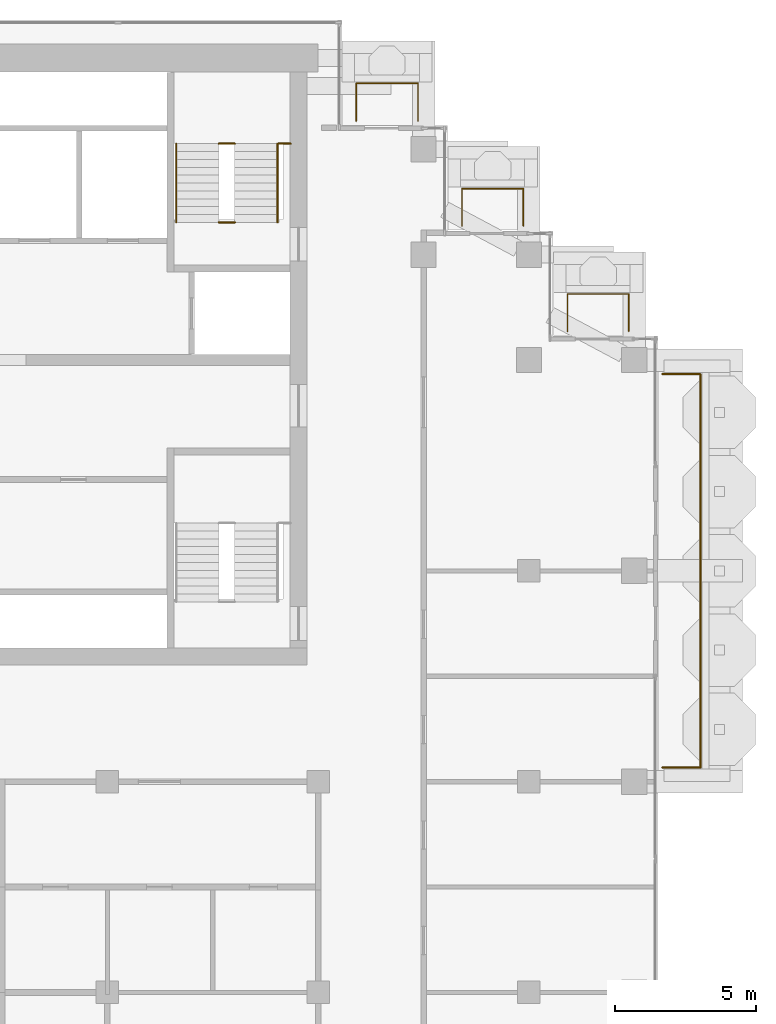
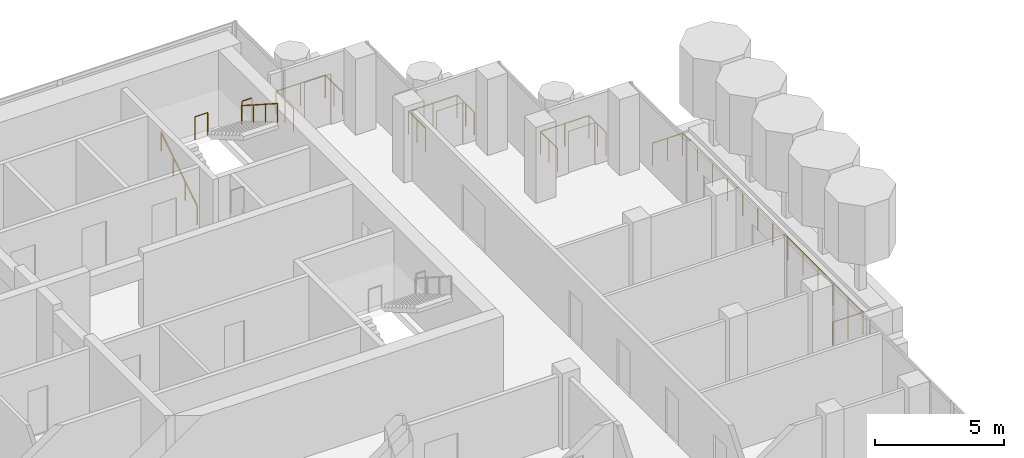
# One storey, part 18 of 19: 9 railings.
"""IFC4 building model written with IfcOpenShell, lengths in metres."""

from ifc_helpers import new_model, si_unit, direction, frame, origin, origin_2d, place, context, subcontext, project, spatial, circle, extrude, material, type_object, element, save


model = new_model("IFC4")

# Units and contexts
model_context = context("Model", 3, precision=1e-05, world=origin(), true_north=direction((0.0, 1.0)))
body_context = subcontext(model_context, "Body", "Model", "MODEL_VIEW")
ifc_project = project(units=[si_unit("LENGTHUNIT", "METRE"), si_unit("AREAUNIT", "SQUARE_METRE"), si_unit("VOLUMEUNIT", "CUBIC_METRE"), si_unit("PLANEANGLEUNIT", "RADIAN"), si_unit("MASSUNIT", "GRAM", prefix="KILO")], contexts=[model_context])

# Site, building, storey
site_placement = place(None, origin())
site = spatial("IfcSite", under=ifc_project, at=site_placement, CompositionType="ELEMENT")
building_placement = place(site_placement, origin())
building = spatial("IfcBuilding", under=site, at=building_placement, Name="Pilkhan Gate Tower", CompositionType="ELEMENT")
storey_placement = place(building_placement, frame((0.0, 0.0, 239.10009765625)))
storey = spatial("IfcBuildingStorey", under=building, at=storey_placement, Name="L62", CompositionType="ELEMENT", Elevation=239.10009765625)

# Railings
ifc_material_1 = material(Name="Pale anodised aluminium posts, laminated glass infill", Category="aluminium")
railing_type_1 = type_object("IfcRailingType", Name="Balcony guard G1", PredefinedType="BALUSTRADE", material=ifc_material_1)
railing_1_placement = place(storey_placement, frame((102.25, 68.0, 0.0)))
element("IfcRailing", 1, at=railing_1_placement, inside=storey, type_object=railing_type_1, Name="Balcony guard L62 E", PredefinedType="BALUSTRADE", context=body_context, shape_type="SweptSolid", body=[
    extrude(circle(Radius=0.02392578125, at=origin_2d()), frame((0.0, 0.0, 1.076171875), z_axis=(1.0, 0.0, 0.0), x_axis=(0.0, 1.0, 0.0)), (0.0, 0.0, 1.0), 1.35009765625),
    extrude(circle(Radius=0.02392578125, at=origin_2d()), frame((1.35009765625, 0.0, 1.076171875), z_axis=(0.0, 1.0, 0.0), x_axis=(-1.0, 0.0, 0.0)), (0.0, 0.0, 1.0), 14.0),
    extrude(circle(Radius=0.02392578125, at=origin_2d()), frame((1.35009765625, 14.0, 1.076171875), z_axis=(-1.0, 0.0, 0.0), x_axis=(0.0, -1.0, 0.0)), (0.0, 0.0, 1.0), 1.35009765625),
    extrude(circle(Radius=0.02099609375, at=origin_2d()), origin(), (0.0, 0.0, 1.0), 1.052001953125),
    extrude(circle(Radius=0.02099609375, at=origin_2d()), frame((0.675048828125, 0.0, 0.0)), (0.0, 0.0, 1.0), 1.052001953125),
    extrude(circle(Radius=0.02099609375, at=origin_2d()), frame((1.35009765625, 0.0, 0.0)), (0.0, 0.0, 1.0), 1.052001953125),
    extrude(circle(Radius=0.02099609375, at=origin_2d()), frame((1.35009765625, 1.166748046875, 0.0)), (0.0, 0.0, 1.0), 1.052001953125),
    extrude(circle(Radius=0.02099609375, at=origin_2d()), frame((1.35009765625, 2.333251953125, 0.0)), (0.0, 0.0, 1.0), 1.052001953125),
    extrude(circle(Radius=0.02099609375, at=origin_2d()), frame((1.35009765625, 3.5, 0.0)), (0.0, 0.0, 1.0), 1.052001953125),
    extrude(circle(Radius=0.02099609375, at=origin_2d()), frame((1.35009765625, 4.666748046875, 0.0)), (0.0, 0.0, 1.0), 1.052001953125),
    extrude(circle(Radius=0.02099609375, at=origin_2d()), frame((1.35009765625, 5.833251953125, 0.0)), (0.0, 0.0, 1.0), 1.052001953125),
    extrude(circle(Radius=0.02099609375, at=origin_2d()), frame((1.35009765625, 7.0, 0.0)), (0.0, 0.0, 1.0), 1.052001953125),
    extrude(circle(Radius=0.02099609375, at=origin_2d()), frame((1.35009765625, 8.166748046875, 0.0)), (0.0, 0.0, 1.0), 1.052001953125),
    extrude(circle(Radius=0.02099609375, at=origin_2d()), frame((1.35009765625, 9.333251953125, 0.0)), (0.0, 0.0, 1.0), 1.052001953125),
    extrude(circle(Radius=0.02099609375, at=origin_2d()), frame((1.35009765625, 10.5, 0.0)), (0.0, 0.0, 1.0), 1.052001953125),
    extrude(circle(Radius=0.02099609375, at=origin_2d()), frame((1.35009765625, 11.666748046875, 0.0)), (0.0, 0.0, 1.0), 1.052001953125),
    extrude(circle(Radius=0.02099609375, at=origin_2d()), frame((1.35009765625, 12.833251953125, 0.0)), (0.0, 0.0, 1.0), 1.052001953125),
    extrude(circle(Radius=0.02099609375, at=origin_2d()), frame((1.35009765625, 14.0, 0.0)), (0.0, 0.0, 1.0), 1.052001953125),
    extrude(circle(Radius=0.02099609375, at=origin_2d()), frame((0.675048828125, 14.0, 0.0)), (0.0, 0.0, 1.0), 1.052001953125),
    extrude(circle(Radius=0.02099609375, at=origin_2d()), frame((0.0, 14.0, 0.0)), (0.0, 0.0, 1.0), 1.052001953125),
])
railing_2_placement = place(storey_placement, frame((91.35009765625, 91.0, 0.0)))
element("IfcRailing", 2, at=railing_2_placement, inside=storey, type_object=railing_type_1, Name="Balcony guard L62 N", PredefinedType="BALUSTRADE", context=body_context, shape_type="SweptSolid", body=[
    extrude(circle(Radius=0.02392578125, at=origin_2d()), frame((0.0, 0.0, 1.076171875), z_axis=(0.0, 1.0, 0.0), x_axis=(-1.0, 0.0, 0.0)), (0.0, 0.0, 1.0), 1.35009765625),
    extrude(circle(Radius=0.02392578125, at=origin_2d()), frame((0.0, 1.35009765625, 1.076171875), z_axis=(1.0, 0.0, 0.0), x_axis=(0.0, 1.0, 0.0)), (0.0, 0.0, 1.0), 2.199951171875),
    extrude(circle(Radius=0.02392578125, at=origin_2d()), frame((2.199951171875, 1.35009765625, 1.076171875), z_axis=(0.0, -1.0, 0.0), x_axis=(1.0, 0.0, 0.0)), (0.0, 0.0, 1.0), 1.35009765625),
    extrude(circle(Radius=0.02099609375, at=origin_2d()), origin(), (0.0, 0.0, 1.0), 1.052001953125),
    extrude(circle(Radius=0.02099609375, at=origin_2d()), frame((0.0, 0.675048828125, 0.0)), (0.0, 0.0, 1.0), 1.052001953125),
    extrude(circle(Radius=0.02099609375, at=origin_2d()), frame((0.0, 1.35009765625, 0.0)), (0.0, 0.0, 1.0), 1.052001953125),
    extrude(circle(Radius=0.02099609375, at=origin_2d()), frame((1.10009765625, 1.35009765625, 0.0)), (0.0, 0.0, 1.0), 1.052001953125),
    extrude(circle(Radius=0.02099609375, at=origin_2d()), frame((2.199951171875, 1.35009765625, 0.0)), (0.0, 0.0, 1.0), 1.052001953125),
    extrude(circle(Radius=0.02099609375, at=origin_2d()), frame((2.199951171875, 0.675048828125, 0.0)), (0.0, 0.0, 1.0), 1.052001953125),
    extrude(circle(Radius=0.02099609375, at=origin_2d()), frame((2.199951171875, 0.0, 0.0)), (0.0, 0.0, 1.0), 1.052001953125),
])
for number, where, name in (
    (3, (95.1201171875, 87.27001953125, 0.0), "Balcony guard L62 N"),
    (4, (98.8701171875, 83.52001953125, 0.0), "Balcony guard L62 N"),
):
    element("IfcRailing", number, at=place(storey_placement, frame(where)), inside=storey, type_object=railing_type_1, Name=name, PredefinedType="BALUSTRADE", context=body_context, shape_type="SweptSolid", body=[
        extrude(circle(Radius=0.02392578125, at=origin_2d()), frame((0.0, 0.0, 1.076171875), z_axis=(0.0, 1.0, 0.0), x_axis=(-1.0, 0.0, 0.0)), (0.0, 0.0, 1.0), 1.330078125),
        extrude(circle(Radius=0.02392578125, at=origin_2d()), frame((0.0, 1.330078125, 1.076171875), z_axis=(1.0, 0.0, 0.0), x_axis=(0.0, 1.0, 0.0)), (0.0, 0.0, 1.0), 2.179931640625),
        extrude(circle(Radius=0.02392578125, at=origin_2d()), frame((2.179931640625, 1.330078125, 1.076171875), z_axis=(0.0, -1.0, 0.0), x_axis=(1.0, 0.0, 0.0)), (0.0, 0.0, 1.0), 1.330078125),
        extrude(circle(Radius=0.02099609375, at=origin_2d()), origin(), (0.0, 0.0, 1.0), 1.052001953125),
        extrude(circle(Radius=0.02099609375, at=origin_2d()), frame((0.0, 0.6650390625, 0.0)), (0.0, 0.0, 1.0), 1.052001953125),
        extrude(circle(Radius=0.02099609375, at=origin_2d()), frame((0.0, 1.330078125, 0.0)), (0.0, 0.0, 1.0), 1.052001953125),
        extrude(circle(Radius=0.02099609375, at=origin_2d()), frame((1.08984375, 1.330078125, 0.0)), (0.0, 0.0, 1.0), 1.052001953125),
        extrude(circle(Radius=0.02099609375, at=origin_2d()), frame((2.179931640625, 1.330078125, 0.0)), (0.0, 0.0, 1.0), 1.052001953125),
        extrude(circle(Radius=0.02099609375, at=origin_2d()), frame((2.179931640625, 0.6650390625, 0.0)), (0.0, 0.0, 1.0), 1.052001953125),
        extrude(circle(Radius=0.02099609375, at=origin_2d()), frame((2.179931640625, 0.0, 0.0)), (0.0, 0.0, 1.0), 1.052001953125),
    ])
ifc_material_2 = material(Name="Black powder-coated steel tube", Category="steel")
railing_type_2 = type_object("IfcRailingType", Name="Stair handrail HR1", PredefinedType="HANDRAIL", material=ifc_material_2)
railing_3_placement = place(storey_placement, frame((84.949951171875, 87.39990234375, 0.0)))
element("IfcRailing", 5, at=railing_3_placement, inside=storey, type_object=railing_type_2, Name="Stair ST4 handrail L62", PredefinedType="HANDRAIL", context=body_context, shape_type="SweptSolid", body=[
    extrude(circle(Radius=0.02392578125, at=origin_2d()), frame((0.0, 0.0, 0.8759765625), z_axis=(0.0, 0.841209454229, 0.540709398952), x_axis=(-1.0, 0.0, 0.0)), (0.0, 0.0, 1.0), 3.32861328125),
    extrude(circle(Radius=0.02099609375, at=origin_2d()), origin(), (0.0, 0.0, 1.0), 0.851806640625),
    extrude(circle(Radius=0.02099609375, at=origin_2d()), frame((0.0, 0.933349609375, 0.599853515625)), (0.0, 0.0, 1.0), 0.851806640625),
    extrude(circle(Radius=0.02099609375, at=origin_2d()), frame((0.0, 1.86669921875, 1.199951171875)), (0.0, 0.0, 1.0), 0.851806640625),
    extrude(circle(Radius=0.02099609375, at=origin_2d()), frame((0.0, 2.800048828125, 1.7998046875)), (0.0, 0.0, 1.0), 0.851806640625),
])
railing_4_placement = place(storey_placement, frame((88.550048828125, 90.199951171875, 1.7998046875)))
element("IfcRailing", 6, at=railing_4_placement, inside=storey, type_object=railing_type_2, Name="Stair ST4 handrail L62", PredefinedType="HANDRAIL", context=body_context, shape_type="SweptSolid", body=[
    extrude(circle(Radius=0.02392578125, at=origin_2d()), frame((0.0, 0.0, 0.8759765625), z_axis=(0.0, -0.841176092368, 0.540761298198), x_axis=(1.0, 0.0, 0.0)), (0.0, 0.0, 1.0), 3.32861328125),
    extrude(circle(Radius=0.02099609375, at=origin_2d()), origin(), (0.0, 0.0, 1.0), 0.851806640625),
    extrude(circle(Radius=0.02099609375, at=origin_2d()), frame((0.0, -0.933349609375, 0.60009765625)), (0.0, 0.0, 1.0), 0.851806640625),
    extrude(circle(Radius=0.02099609375, at=origin_2d()), frame((0.0, -1.86669921875, 1.199951171875)), (0.0, 0.0, 1.0), 0.851806640625),
    extrude(circle(Radius=0.02099609375, at=origin_2d()), frame((0.0, -2.800048828125, 1.800048828125)), (0.0, 0.0, 1.0), 0.851806640625),
])
ifc_material_3 = material(Name="Black powder-coated steel balusters", Category="steel")
railing_type_3 = type_object("IfcRailingType", Name="Stair well guard G3", PredefinedType="GUARDRAIL", material=ifc_material_3)
railing_5_placement = place(storey_placement, frame((88.580078125, 90.199951171875, 1.7998046875)))
element("IfcRailing", 7, at=railing_5_placement, inside=storey, type_object=railing_type_3, Name="Stair ST4 well guard L62", PredefinedType="GUARDRAIL", context=body_context, shape_type="SweptSolid", body=[
    extrude(circle(Radius=0.02392578125, at=origin_2d()), frame((0.0, 0.0, 1.076171875), z_axis=(1.0, 0.0, 0.0), x_axis=(0.0, 1.0, 0.0)), (0.0, 0.0, 1.0), 0.43994140625),
    extrude(circle(Radius=0.02099609375, at=origin_2d()), origin(), (0.0, 0.0, 1.0), 1.052001953125),
    extrude(circle(Radius=0.02099609375, at=origin_2d()), frame((0.43994140625, 0.0, 0.0)), (0.0, 0.0, 1.0), 1.052001953125),
])
for number, where, name in (
    (8, (86.4599609375, 87.39990234375, 0.0), "Stair ST4 well guard L62"),
    (9, (86.4599609375, 90.199951171875, 1.7998046875), "Stair ST4 well guard L62"),
):
    element("IfcRailing", number, at=place(storey_placement, frame(where)), inside=storey, type_object=railing_type_3, Name=name, PredefinedType="GUARDRAIL", context=body_context, shape_type="SweptSolid", body=[
        extrude(circle(Radius=0.02392578125, at=origin_2d()), frame((0.0, 0.0, 1.076171875), z_axis=(1.0, 0.0, 0.0), x_axis=(0.0, 1.0, 0.0)), (0.0, 0.0, 1.0), 0.580078125),
        extrude(circle(Radius=0.02099609375, at=origin_2d()), origin(), (0.0, 0.0, 1.0), 1.052001953125),
        extrude(circle(Radius=0.02099609375, at=origin_2d()), frame((0.580078125, 0.0, 0.0)), (0.0, 0.0, 1.0), 1.052001953125),
    ])

save(model, "model.ifc")
